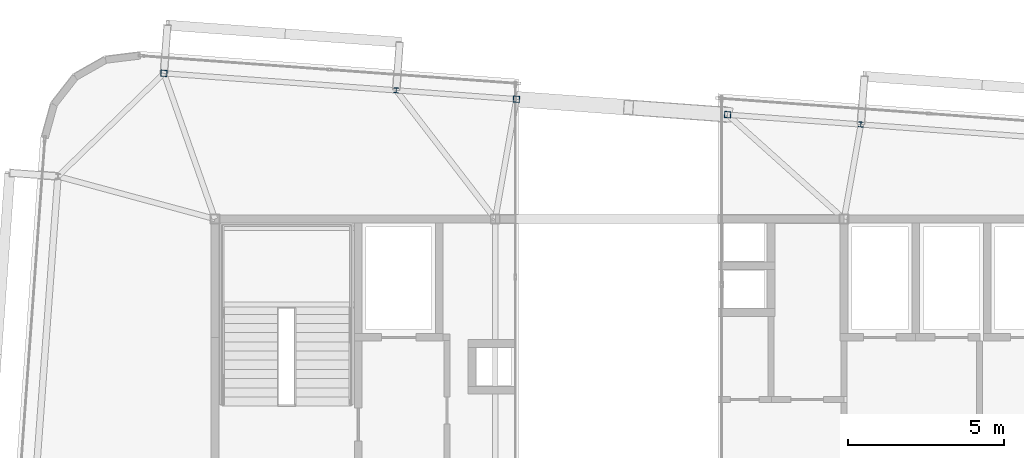
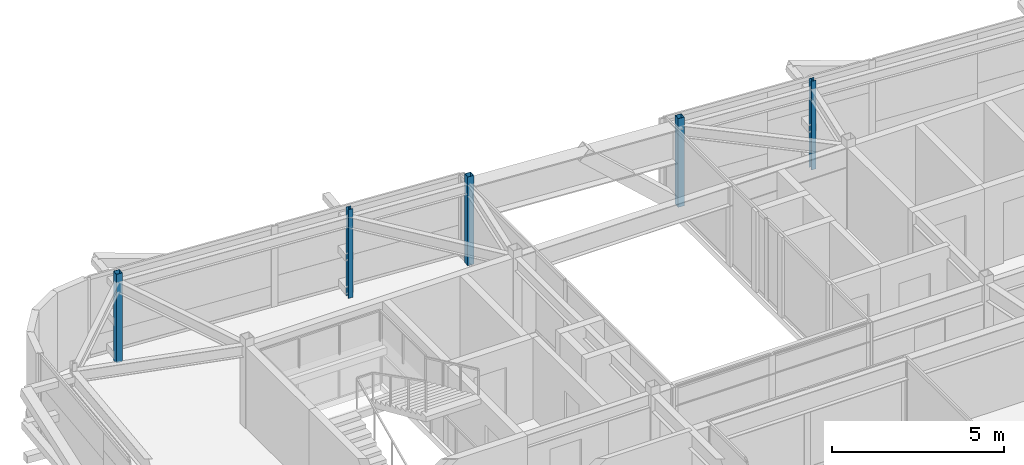
# One storey, part 7 of 40: 5 columns.
"""IFC4 building model written with IfcOpenShell, lengths in metres."""

from ifc_helpers import new_model, si_unit, direction, frame, origin, origin_2d, place, context, subcontext, project, spatial, hollow_rectangle, i_section, extrude, source, transform, mapped, material, material_profile, profile_set, type_object, element, save


model = new_model("IFC4")

# Units and contexts
model_context = context("Model", 3, precision=1e-05, world=origin(), true_north=direction((0.0, 1.0)))
body_context = subcontext(model_context, "Body", "Model", "MODEL_VIEW")
ifc_project = project(units=[si_unit("LENGTHUNIT", "METRE"), si_unit("AREAUNIT", "SQUARE_METRE"), si_unit("VOLUMEUNIT", "CUBIC_METRE"), si_unit("PLANEANGLEUNIT", "RADIAN"), si_unit("MASSUNIT", "GRAM", prefix="KILO")], contexts=[model_context])

# Site, building, storey
site_placement = place(None, origin())
site = spatial("IfcSite", under=ifc_project, at=site_placement, CompositionType="ELEMENT")
building_placement = place(site_placement, origin())
building = spatial("IfcBuilding", under=site, at=building_placement, Name="Taldren Reach Tower", CompositionType="ELEMENT")
storey_placement = place(building_placement, frame((0.0, 0.0, 233.449951171875)))
storey = spatial("IfcBuildingStorey", under=building, at=storey_placement, Name="L71", CompositionType="ELEMENT", Elevation=233.449951171875)

# Columns
ifc_material_1 = material(Name="Steel Gr 350 (C350L0)", Category="steel")
ifc_material_profile_1 = material_profile(ifc_material_1, hollow_rectangle(XDim=0.199951171875, YDim=0.199951171875, WallThickness=0.009033203125, at=origin_2d()), Name="200x200x9.0SHS")
ifc_profile_set_1 = profile_set([ifc_material_profile_1], Name="Steel Gr 350 (C350L0)")
column_type_1 = type_object("IfcColumnType", Name="COL-SHS200", PredefinedType="COLUMN", material=ifc_profile_set_1)
shared_shape_1 = source(origin(), body_context, "Body", "SweptSolid", [
    extrude(hollow_rectangle(XDim=0.199951171875, YDim=0.199951171875, WallThickness=0.009033203125, at=origin_2d()), origin(), (0.0, 0.0, 1.0), 3.150146484375),
])
for number, where, z_axis, x_axis, name in (
    (1, (17.35986328125, 36.678955078125, 0.0), (0.0, 0.0, 1.0), (0.997314477224, -0.073238197128, 0.0), "Block B5 perimeter column N1 L71"),
    (2, (28.67919921875, 35.84765625, 0.0), (0.0, 0.0, 1.0), (0.997314477224, -0.073238197128, 0.0), "Block B5 perimeter column PJN1 L71"),
    (3, (35.4609375, 35.349609375, 0.0), (0.0, 0.0, 1.0), (0.997314477224, -0.073238197128, 0.0), "Block B5 perimeter column PJN2 L71"),
):
    element("IfcColumn", number, at=place(storey_placement, frame(where, z_axis=z_axis, x_axis=x_axis)), inside=storey, type_object=column_type_1, Name=name, PredefinedType="COLUMN", context=body_context, shape_type="MappedRepresentation", body=[
        mapped(shared_shape_1, transform((0.0, 0.0, 0.0), scale=1.0)),
    ])
ifc_material_2 = material(Name="Steel Gr 350 (350PLUS)", Category="steel")
ifc_material_profile_2 = material_profile(ifc_material_2, i_section(OverallWidth=0.154052734375, OverallDepth=0.162109375, WebThickness=0.008056640625, FlangeThickness=0.011474609375, at=origin_2d()), Name="150UC37.2")
ifc_profile_set_2 = profile_set([ifc_material_profile_2], Name="Steel Gr 350 (350PLUS)")
column_type_2 = type_object("IfcColumnType", Name="COL-UC150", PredefinedType="COLUMN", material=ifc_profile_set_2)
shared_shape_2 = source(origin(), body_context, "Body", "SweptSolid", [
    extrude(i_section(OverallWidth=0.154052734375, OverallDepth=0.162109375, WebThickness=0.008056640625, FlangeThickness=0.011474609375, at=origin_2d()), origin(), (0.0, 0.0, 1.0), 3.150146484375),
])
for number, where, z_axis, x_axis, name in (
    (4, (24.819580078125, 36.131103515625, 0.0), (0.0, 0.0, 1.0), (0.997314477224, -0.073238197128, 0.0), "Block B5 perimeter column N2 L71"),
    (5, (39.739501953125, 35.035400390625, 0.0), (0.0, 0.0, 1.0), (0.997314477224, -0.073238197128, 0.0), "Block B5 perimeter column N4 L71"),
):
    element("IfcColumn", number, at=place(storey_placement, frame(where, z_axis=z_axis, x_axis=x_axis)), inside=storey, type_object=column_type_2, Name=name, PredefinedType="COLUMN", context=body_context, shape_type="MappedRepresentation", body=[
        mapped(shared_shape_2, transform((0.0, 0.0, 0.0), scale=1.0)),
    ])

save(model, "model.ifc")
